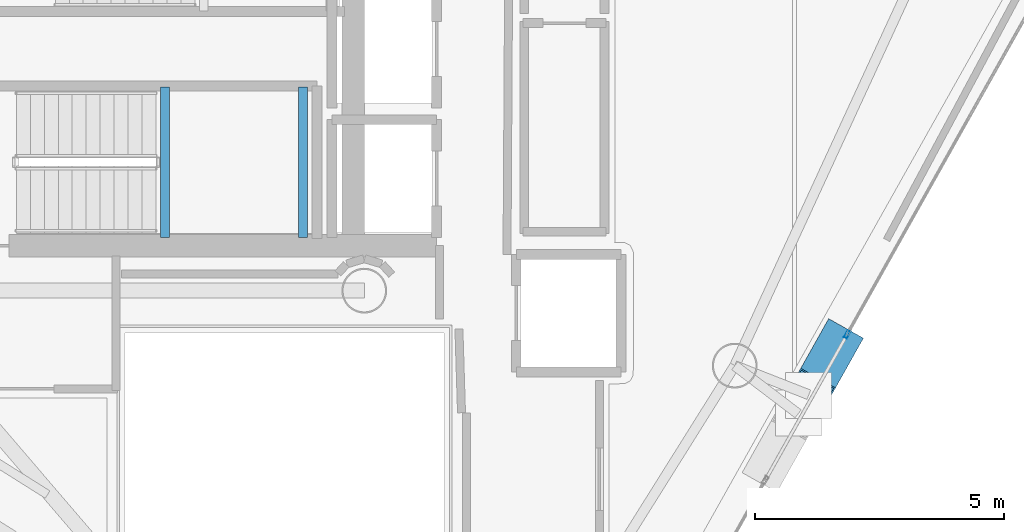
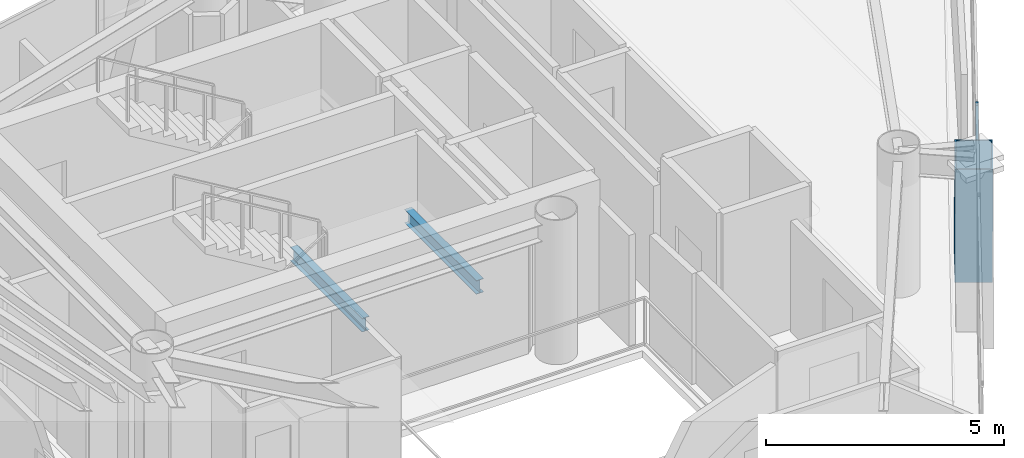
# One storey, part 10 of 21: 2 beams, 2 members, 1 element without a shape of its own.
"""IFC4 building model written with IfcOpenShell, lengths in metres."""

from ifc_helpers import new_model, si_unit, direction, frame, origin, origin_2d, place, context, subcontext, project, spatial, hollow_rectangle, i_section, extrude, material, layer, layer_set, material_profile, profile_set, type_object, element, aggregate, save


model = new_model("IFC4")

# Units and contexts
model_context = context("Model", 3, precision=1e-05, world=origin(), true_north=direction((0.0, 1.0)))
body_context = subcontext(model_context, "Body", "Model", "MODEL_VIEW")
ifc_project = project(units=[si_unit("LENGTHUNIT", "METRE"), si_unit("AREAUNIT", "SQUARE_METRE"), si_unit("VOLUMEUNIT", "CUBIC_METRE"), si_unit("PLANEANGLEUNIT", "RADIAN"), si_unit("MASSUNIT", "GRAM", prefix="KILO")], contexts=[model_context])

# Site, building, storey
site_placement = place(None, origin())
site = spatial("IfcSite", under=ifc_project, at=site_placement, CompositionType="ELEMENT")
building_placement = place(site_placement, origin())
building = spatial("IfcBuilding", under=site, at=building_placement, Name="Qianvela Tower", CompositionType="ELEMENT")
storey_placement = place(building_placement, frame((0.0, 0.0, 302.800048828125)))
storey = spatial("IfcBuildingStorey", under=building, at=storey_placement, Name="L78", CompositionType="ELEMENT", Elevation=302.800048828125)

# Beams
ifc_material_1 = material(Name="Steel Q355B", Category="steel")
ifc_material_profile_1 = material_profile(ifc_material_1, i_section(OverallWidth=0.175048828125, OverallDepth=0.35009765625, WebThickness=0.007080078125, FlangeThickness=0.010986328125, at=origin_2d()), Name="HN350x175x7x11")
ifc_profile_set_1 = profile_set([ifc_material_profile_1], Name="Steel Q355B")
beam_type = type_object("IfcBeamType", Name="BM-HN350-JOIST", PredefinedType="JOIST", material=ifc_profile_set_1)
for number, where, z_axis, x_axis, name in (
    (1, (34.39990234375, 24.919921875, 1.474853515625), (0.0, 1.0, 0.0), (-1.0, 0.0, 0.0), "L78 Stair ST-2 Landing Support Beam 1.1"),
    (2, (37.169921875, 24.919921875, 1.474853515625), (0.0, 1.0, 0.0), (-1.0, 0.0, 0.0), "L78 Stair ST-2 Landing Support Beam 1.2"),
):
    element("IfcBeam", number, at=place(storey_placement, frame(where, z_axis=z_axis, x_axis=x_axis)), inside=storey, type_object=beam_type, Name=name, PredefinedType="JOIST", context=body_context, shape_type="SweptSolid", body=[
        extrude(i_section(OverallWidth=0.175048828125, OverallDepth=0.35009765625, WebThickness=0.007080078125, FlangeThickness=0.010986328125, at=origin_2d()), origin(), (0.0, 0.0, 1.0), 3.02001953125),
    ])

# Curtain wall, member
ifc_material_2 = material(Name="Anodised Architectural Aluminium and Insulated Spandrel Panel", Category="aluminium")
ifc_layer = layer(ifc_material_2, 0.179931640625)
ifc_layer_set = layer_set([ifc_layer], Name="Anodised Architectural Aluminium and Insulated Spandrel Panel")
curtain_wall_type = type_object("IfcCurtainWallType", Name="CW-BRACEBAY", PredefinedType="USERDEFINED", material=ifc_layer_set)
curtain_wall_placement = place(storey_placement, origin())
curtain_wall = element("IfcCurtainWall", 3, at=curtain_wall_placement, inside=storey, type_object=curtain_wall_type, Name="L78 CW-BRACEBAY Curtain Wall 06B", ObjectType="CURTAIN_WALL_SYSTEM", PredefinedType="USERDEFINED")
ifc_material_3 = material(Name="Anodised Architectural Aluminium 6063-T6", Category="aluminium")
ifc_material_profile_2 = material_profile(ifc_material_3, hollow_rectangle(XDim=0.06494140625, YDim=0.159912109375, WallThickness=0.0048828125, at=origin_2d()), Name="ALU-MULL-65x160")
ifc_profile_set_2 = profile_set([ifc_material_profile_2], Name="Anodised Architectural Aluminium 6063-T6")
member_type_1 = type_object("IfcMemberType", Name="CW-BRACEBAY-MULL", PredefinedType="MULLION", material=ifc_profile_set_2)
member_1_placement = place(storey_placement, frame((48.091552734375, 22.9716796875, 0.0), z_axis=(0.0, 0.0, 1.0), x_axis=(-0.871831553607, 0.489805820847, 0.0)))
member_1 = element("IfcMember", 4, at=member_1_placement, type_object=member_type_1, Name="CW-9 mullion 2", PredefinedType="MULLION", context=body_context, shape_type="SweptSolid", body=[
    extrude(hollow_rectangle(XDim=0.06494140625, YDim=0.159912109375, WallThickness=0.0048828125, at=origin_2d()), origin(), (0.0, 0.0, 1.0), 3.52001953125),
])
aggregate(curtain_wall, [member_1])

# Member
ifc_material_4 = material(Name="Steel Q420GJC", Category="steel")
ifc_material_profile_3 = material_profile(ifc_material_4, hollow_rectangle(XDim=0.800048828125, YDim=0.800048828125, WallThickness=0.028076171875, at=origin_2d()), Name="MBOX-800x800x28")
ifc_profile_set_3 = profile_set([ifc_material_profile_3], Name="Steel Q420GJC")
member_type_2 = type_object("IfcMemberType", Name="MBR-MBRACE-800", PredefinedType="BRACE", material=ifc_profile_set_3)
member_2_placement = place(storey_placement, frame((47.88037109375, 22.759033203125, -0.48193359375), z_axis=(-0.144621130387, -0.25740543826, 0.955419891461), x_axis=(0.871820632833, -0.489825258809, 0.0)))
element("IfcMember", 5, at=member_2_placement, inside=storey, type_object=member_type_2, Name="L78 Tier 13 Exterior Mega-Brace F3B", PredefinedType="BRACE", context=body_context, shape_type="SweptSolid", body=[
    extrude(hollow_rectangle(XDim=0.800048828125, YDim=0.800048828125, WallThickness=0.028076171875, at=origin_2d()), origin(), (0.0, 0.0, 1.0), 3.87255859375),
])

save(model, "model.ifc")
